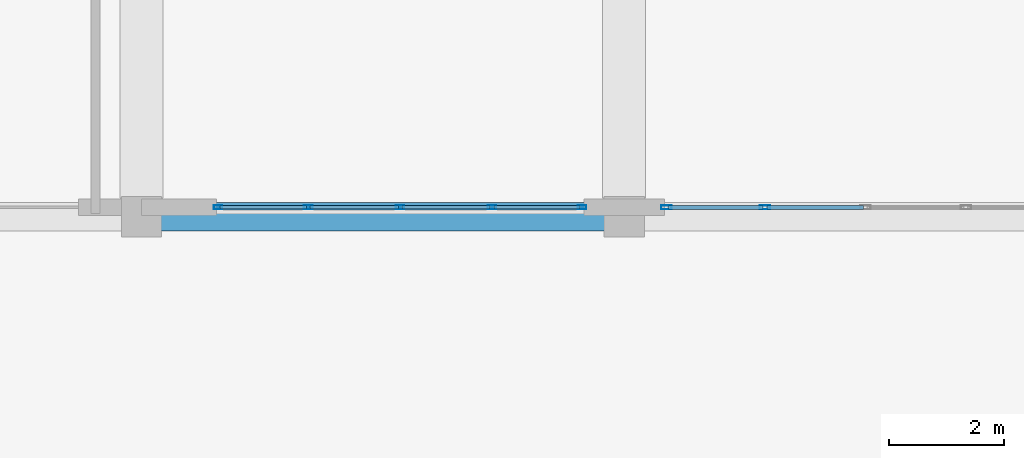
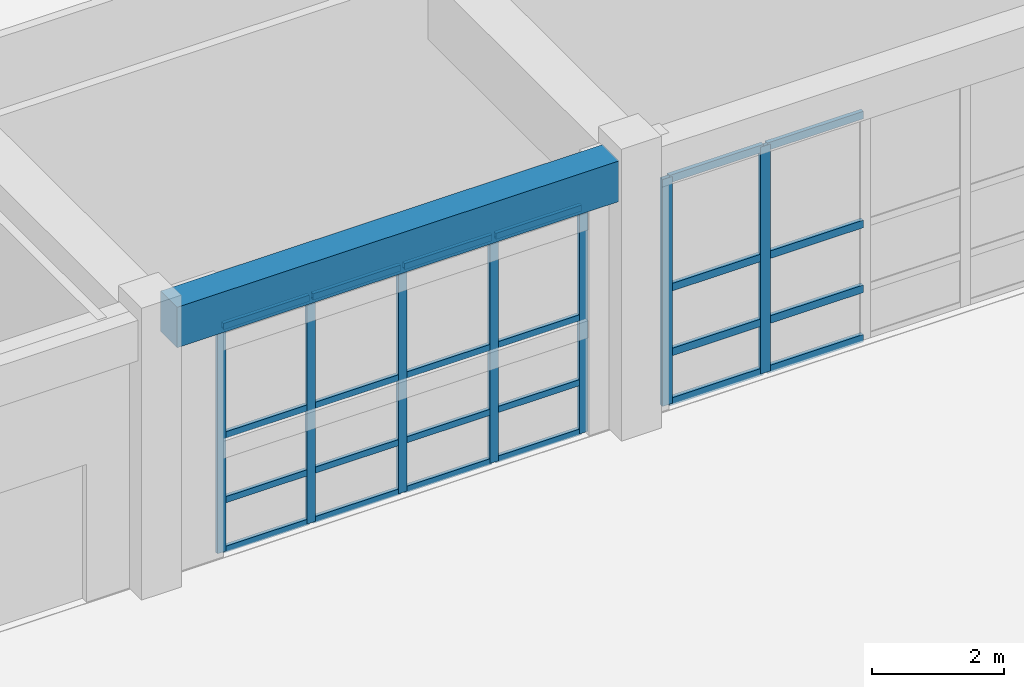
# One storey, part 63 of 148: 31 members, 1 beam, 2 elements without a shape of their own.
"""IFC4 building model written with IfcOpenShell, lengths in metres."""

from ifc_helpers import new_model, si_unit, direction, frame, origin, origin_2d, place, context, subcontext, project, spatial, rectangle, hollow_rectangle, extrude, material, layer, layer_set, material_profile, profile_set, type_object, element, aggregate, save


model = new_model("IFC4")

# Units and contexts
model_context = context("Model", 3, precision=1e-05, world=origin(), true_north=direction((0.0, 1.0)))
body_context = subcontext(model_context, "Body", "Model", "MODEL_VIEW")
ifc_project = project(units=[si_unit("LENGTHUNIT", "METRE"), si_unit("AREAUNIT", "SQUARE_METRE"), si_unit("VOLUMEUNIT", "CUBIC_METRE"), si_unit("PLANEANGLEUNIT", "RADIAN"), si_unit("MASSUNIT", "GRAM", prefix="KILO")], contexts=[model_context])

# Site, building, storey
site_placement = place(None, origin())
site = spatial("IfcSite", under=ifc_project, at=site_placement, CompositionType="ELEMENT")
building_placement = place(site_placement, origin())
building = spatial("IfcBuilding", under=site, at=building_placement, Name="Quendrovan Civic Courthouse", CompositionType="ELEMENT")
storey_placement = place(building_placement, origin())
storey = spatial("IfcBuildingStorey", under=building, at=storey_placement, Name="L01", CompositionType="ELEMENT", Elevation=0.0)

# Beam
ifc_material_1 = material(Name="Concrete C40/50", Category="concrete")
ifc_material_profile_1 = material_profile(ifc_material_1, rectangle(XDim=0.5, YDim=0.75, at=origin_2d()), Name="RC-BM-500x750")
ifc_profile_set_1 = profile_set([ifc_material_profile_1], Name="Concrete C40/50")
beam_type = type_object("IfcBeamType", Name="BM-RC750", PredefinedType="SPANDREL", material=ifc_profile_set_1)
beam_placement = place(storey_placement, frame((67.530029296875, 64.800048828125, 4.7451171875), z_axis=(1.0, 0.0, 0.0), x_axis=(0.0, 1.0, 0.0)))
element("IfcBeam", 1, at=beam_placement, inside=storey, type_object=beam_type, Name="L01 Girder X0293", PredefinedType="SPANDREL", context=body_context, shape_type="SweptSolid", body=[
    extrude(rectangle(XDim=0.5, YDim=0.75, at=origin_2d()), origin(), (0.0, 0.0, 1.0), 7.739990234375),
])

# Curtain wall, members
ifc_material_2 = material(Name="Bronze anodised aluminium and low-E glass", Category="aluminium")
ifc_layer_1 = layer(ifc_material_2, 0.179931640625, Name="Bronze anodised aluminium and low-E glass")
ifc_layer_set_1 = layer_set([ifc_layer_1], Name="Bronze anodised aluminium and low-E glass")
curtain_wall_type_1 = type_object("IfcCurtainWallType", Name="CW-U70x42", PredefinedType="USERDEFINED", material=ifc_layer_set_1)
curtain_wall_1_placement = place(storey_placement, origin())
curtain_wall_1 = element("IfcCurtainWall", 2, at=curtain_wall_1_placement, inside=storey, type_object=curtain_wall_type_1, Name="L01 Unitised Hurricane Curtain Wall CW-060", ObjectType="UNITISED CURTAIN WALL", PredefinedType="USERDEFINED")
ifc_material_3 = material(Name="Bronze anodised aluminium", Category="aluminium")
ifc_material_profile_2 = material_profile(ifc_material_3, hollow_rectangle(XDim=0.070068359375, YDim=0.179931640625, WallThickness=0.00390625, at=origin_2d()), Name="CW-MULL-70x180")
ifc_profile_set_2 = profile_set([ifc_material_profile_2], Name="Bronze anodised aluminium")
member_type_1 = type_object("IfcMemberType", Name="CW-MULL-A", PredefinedType="MULLION", material=ifc_profile_set_2)
member_1_placement = place(storey_placement, frame((78.050048828125, 64.965087890625, 0.0), z_axis=(0.0, 0.0, 1.0), x_axis=(0.0, -1.0, 0.0)))
member_1 = element("IfcMember", 3, at=member_1_placement, type_object=member_type_1, Name="CW-060 mullion 4", PredefinedType="MULLION", context=body_context, shape_type="SweptSolid", body=[
    extrude(hollow_rectangle(XDim=0.070068359375, YDim=0.179931640625, WallThickness=0.00390625, at=origin_2d()), origin(), (0.0, 0.0, 1.0), 4.199951171875),
])
member_2_placement = place(storey_placement, frame((76.3349609375, 64.965087890625, 0.0), z_axis=(0.0, 0.0, 1.0), x_axis=(0.0, -1.0, 0.0)))
member_2 = element("IfcMember", 4, at=member_2_placement, type_object=member_type_1, Name="CW-060 mullion 5", PredefinedType="MULLION", context=body_context, shape_type="SweptSolid", body=[
    extrude(hollow_rectangle(XDim=0.070068359375, YDim=0.179931640625, WallThickness=0.00390625, at=origin_2d()), origin(), (0.0, 0.0, 1.0), 4.199951171875),
])

ifc_layer_2 = layer(ifc_material_2, 0.179931640625, Name="Bronze anodised aluminium and low-E glass")
ifc_layer_set_2 = layer_set([ifc_layer_2], Name="Bronze anodised aluminium and low-E glass")
curtain_wall_type_2 = type_object("IfcCurtainWallType", Name="CW-U64x42", PredefinedType="USERDEFINED", material=ifc_layer_set_2)
curtain_wall_2_placement = place(storey_placement, origin())
curtain_wall_2 = element("IfcCurtainWall", 5, at=curtain_wall_2_placement, inside=storey, type_object=curtain_wall_type_2, Name="L01 Unitised Hurricane Curtain Wall CW-061", ObjectType="UNITISED CURTAIN WALL", PredefinedType="USERDEFINED")
ifc_material_profile_3 = material_profile(ifc_material_3, hollow_rectangle(XDim=0.06494140625, YDim=0.14990234375, WallThickness=0.00390625, at=origin_2d()), Name="CW-MULL-65x150")
ifc_profile_set_3 = profile_set([ifc_material_profile_3], Name="Bronze anodised aluminium")
member_type_2 = type_object("IfcMemberType", Name="CW-MULL-B", PredefinedType="MULLION", material=ifc_profile_set_3)
member_3_placement = place(storey_placement, frame((74.867431640625, 64.965087890625, 0.0), z_axis=(0.0, 0.0, 1.0), x_axis=(0.0, -1.0, 0.0)))
member_3 = element("IfcMember", 6, at=member_3_placement, type_object=member_type_2, Name="CW-061 mullion 1", PredefinedType="MULLION", context=body_context, shape_type="SweptSolid", body=[
    extrude(hollow_rectangle(XDim=0.06494140625, YDim=0.14990234375, WallThickness=0.00390625, at=origin_2d()), origin(), (0.0, 0.0, 1.0), 4.199951171875),
])
member_4_placement = place(storey_placement, frame((73.300048828125, 64.965087890625, 0.0), z_axis=(0.0, 0.0, 1.0), x_axis=(0.0, -1.0, 0.0)))
member_4 = element("IfcMember", 7, at=member_4_placement, type_object=member_type_2, Name="CW-061 mullion 2", PredefinedType="MULLION", context=body_context, shape_type="SweptSolid", body=[
    extrude(hollow_rectangle(XDim=0.06494140625, YDim=0.14990234375, WallThickness=0.00390625, at=origin_2d()), origin(), (0.0, 0.0, 1.0), 4.199951171875),
])
member_5_placement = place(storey_placement, frame((71.699951171875, 64.965087890625, 0.0), z_axis=(0.0, 0.0, 1.0), x_axis=(0.0, -1.0, 0.0)))
member_5 = element("IfcMember", 8, at=member_5_placement, type_object=member_type_2, Name="CW-061 mullion 3", PredefinedType="MULLION", context=body_context, shape_type="SweptSolid", body=[
    extrude(hollow_rectangle(XDim=0.06494140625, YDim=0.14990234375, WallThickness=0.00390625, at=origin_2d()), origin(), (0.0, 0.0, 1.0), 4.199951171875),
])
member_6_placement = place(storey_placement, frame((70.10009765625, 64.965087890625, 0.0), z_axis=(0.0, 0.0, 1.0), x_axis=(0.0, -1.0, 0.0)))
member_6 = element("IfcMember", 9, at=member_6_placement, type_object=member_type_2, Name="CW-061 mullion 4", PredefinedType="MULLION", context=body_context, shape_type="SweptSolid", body=[
    extrude(hollow_rectangle(XDim=0.06494140625, YDim=0.14990234375, WallThickness=0.00390625, at=origin_2d()), origin(), (0.0, 0.0, 1.0), 4.199951171875),
])
member_7_placement = place(storey_placement, frame((68.532470703125, 64.965087890625, 0.0), z_axis=(0.0, 0.0, 1.0), x_axis=(0.0, -1.0, 0.0)))
member_7 = element("IfcMember", 10, at=member_7_placement, type_object=member_type_2, Name="CW-061 mullion 5", PredefinedType="MULLION", context=body_context, shape_type="SweptSolid", body=[
    extrude(hollow_rectangle(XDim=0.06494140625, YDim=0.14990234375, WallThickness=0.00390625, at=origin_2d()), origin(), (0.0, 0.0, 1.0), 4.199951171875),
])

# Member
ifc_material_profile_4 = material_profile(ifc_material_3, hollow_rectangle(XDim=0.070068359375, YDim=0.139892578125, WallThickness=0.00390625, at=origin_2d()), Name="CW-TRAN-70x140")
ifc_profile_set_4 = profile_set([ifc_material_profile_4], Name="Bronze anodised aluminium")
member_type_3 = type_object("IfcMemberType", Name="CW-TRAN-A", PredefinedType="USERDEFINED", material=ifc_profile_set_4)
member_8_placement = place(storey_placement, frame((79.764892578125, 64.965087890625, 0.034912109375), z_axis=(-1.0, 0.0, 0.0), x_axis=(0.0, -1.0, 0.0)))
member_8 = element("IfcMember", 11, at=member_8_placement, type_object=member_type_3, Name="CW-060 transom 3.1", ObjectType="TRANSOM", PredefinedType="USERDEFINED", context=body_context, shape_type="SweptSolid", body=[
    extrude(hollow_rectangle(XDim=0.070068359375, YDim=0.139892578125, WallThickness=0.00390625, at=origin_2d()), origin(), (0.0, 0.0, 1.0), 1.679931640625),
])

member_9_placement = place(storey_placement, frame((79.764892578125, 64.965087890625, 0.949951171875), z_axis=(-1.0, 0.0, 0.0), x_axis=(0.0, -1.0, 0.0)))
member_9 = element("IfcMember", 12, at=member_9_placement, type_object=member_type_3, Name="CW-060 transom 3.2", ObjectType="TRANSOM", PredefinedType="USERDEFINED", context=body_context, shape_type="SweptSolid", body=[
    extrude(hollow_rectangle(XDim=0.070068359375, YDim=0.139892578125, WallThickness=0.00390625, at=origin_2d()), origin(), (0.0, 0.0, 1.0), 1.679931640625),
])

member_10_placement = place(storey_placement, frame((79.764892578125, 64.965087890625, 2.14990234375), z_axis=(-1.0, 0.0, 0.0), x_axis=(0.0, -1.0, 0.0)))
member_10 = element("IfcMember", 13, at=member_10_placement, type_object=member_type_3, Name="CW-060 transom 3.3", ObjectType="TRANSOM", PredefinedType="USERDEFINED", context=body_context, shape_type="SweptSolid", body=[
    extrude(hollow_rectangle(XDim=0.070068359375, YDim=0.139892578125, WallThickness=0.00390625, at=origin_2d()), origin(), (0.0, 0.0, 1.0), 1.679931640625),
])

member_11_placement = place(storey_placement, frame((79.764892578125, 64.965087890625, 4.1650390625), z_axis=(-1.0, 0.0, 0.0), x_axis=(0.0, -1.0, 0.0)))
member_11 = element("IfcMember", 14, at=member_11_placement, type_object=member_type_3, Name="CW-060 transom 3.4", ObjectType="TRANSOM", PredefinedType="USERDEFINED", context=body_context, shape_type="SweptSolid", body=[
    extrude(hollow_rectangle(XDim=0.070068359375, YDim=0.139892578125, WallThickness=0.00390625, at=origin_2d()), origin(), (0.0, 0.0, 1.0), 1.679931640625),
])

member_12_placement = place(storey_placement, frame((78.014892578125, 64.965087890625, 0.034912109375), z_axis=(-1.0, 0.0, 0.0), x_axis=(0.0, -1.0, 0.0)))
member_12 = element("IfcMember", 15, at=member_12_placement, type_object=member_type_3, Name="CW-060 transom 4.1", ObjectType="TRANSOM", PredefinedType="USERDEFINED", context=body_context, shape_type="SweptSolid", body=[
    extrude(hollow_rectangle(XDim=0.070068359375, YDim=0.139892578125, WallThickness=0.00390625, at=origin_2d()), origin(), (0.0, 0.0, 1.0), 1.644775390625),
])

member_13_placement = place(storey_placement, frame((78.014892578125, 64.965087890625, 0.949951171875), z_axis=(-1.0, 0.0, 0.0), x_axis=(0.0, -1.0, 0.0)))
member_13 = element("IfcMember", 16, at=member_13_placement, type_object=member_type_3, Name="CW-060 transom 4.2", ObjectType="TRANSOM", PredefinedType="USERDEFINED", context=body_context, shape_type="SweptSolid", body=[
    extrude(hollow_rectangle(XDim=0.070068359375, YDim=0.139892578125, WallThickness=0.00390625, at=origin_2d()), origin(), (0.0, 0.0, 1.0), 1.644775390625),
])

member_14_placement = place(storey_placement, frame((78.014892578125, 64.965087890625, 2.14990234375), z_axis=(-1.0, 0.0, 0.0), x_axis=(0.0, -1.0, 0.0)))
member_14 = element("IfcMember", 17, at=member_14_placement, type_object=member_type_3, Name="CW-060 transom 4.3", ObjectType="TRANSOM", PredefinedType="USERDEFINED", context=body_context, shape_type="SweptSolid", body=[
    extrude(hollow_rectangle(XDim=0.070068359375, YDim=0.139892578125, WallThickness=0.00390625, at=origin_2d()), origin(), (0.0, 0.0, 1.0), 1.644775390625),
])

member_15_placement = place(storey_placement, frame((78.014892578125, 64.965087890625, 4.1650390625), z_axis=(-1.0, 0.0, 0.0), x_axis=(0.0, -1.0, 0.0)))
member_15 = element("IfcMember", 18, at=member_15_placement, type_object=member_type_3, Name="CW-060 transom 4.4", ObjectType="TRANSOM", PredefinedType="USERDEFINED", context=body_context, shape_type="SweptSolid", body=[
    extrude(hollow_rectangle(XDim=0.070068359375, YDim=0.139892578125, WallThickness=0.00390625, at=origin_2d()), origin(), (0.0, 0.0, 1.0), 1.644775390625),
])

aggregate(curtain_wall_1, [member_1, member_2, member_8, member_9, member_10, member_11, member_12, member_13, member_14, member_15])

ifc_material_profile_5 = material_profile(ifc_material_3, hollow_rectangle(XDim=0.06494140625, YDim=0.114990234375, WallThickness=0.00390625, at=origin_2d()), Name="CW-TRAN-65x115")
ifc_profile_set_5 = profile_set([ifc_material_profile_5], Name="Bronze anodised aluminium")
member_type_4 = type_object("IfcMemberType", Name="CW-TRAN-B", PredefinedType="USERDEFINED", material=ifc_profile_set_5)
member_16_placement = place(storey_placement, frame((74.8349609375, 64.965087890625, 0.032470703125), z_axis=(-1.0, 0.0, 0.0), x_axis=(0.0, -1.0, 0.0)))
member_16 = element("IfcMember", 19, at=member_16_placement, type_object=member_type_4, Name="CW-061 transom 1.1", ObjectType="TRANSOM", PredefinedType="USERDEFINED", context=body_context, shape_type="SweptSolid", body=[
    extrude(hollow_rectangle(XDim=0.06494140625, YDim=0.114990234375, WallThickness=0.00390625, at=origin_2d()), origin(), (0.0, 0.0, 1.0), 1.50244140625),
])

member_17_placement = place(storey_placement, frame((74.8349609375, 64.965087890625, 0.949951171875), z_axis=(-1.0, 0.0, 0.0), x_axis=(0.0, -1.0, 0.0)))
member_17 = element("IfcMember", 20, at=member_17_placement, type_object=member_type_4, Name="CW-061 transom 1.2", ObjectType="TRANSOM", PredefinedType="USERDEFINED", context=body_context, shape_type="SweptSolid", body=[
    extrude(hollow_rectangle(XDim=0.06494140625, YDim=0.114990234375, WallThickness=0.00390625, at=origin_2d()), origin(), (0.0, 0.0, 1.0), 1.50244140625),
])

member_18_placement = place(storey_placement, frame((74.8349609375, 64.965087890625, 2.14990234375), z_axis=(-1.0, 0.0, 0.0), x_axis=(0.0, -1.0, 0.0)))
member_18 = element("IfcMember", 21, at=member_18_placement, type_object=member_type_4, Name="CW-061 transom 1.3", ObjectType="TRANSOM", PredefinedType="USERDEFINED", context=body_context, shape_type="SweptSolid", body=[
    extrude(hollow_rectangle(XDim=0.06494140625, YDim=0.114990234375, WallThickness=0.00390625, at=origin_2d()), origin(), (0.0, 0.0, 1.0), 1.50244140625),
])

member_19_placement = place(storey_placement, frame((74.8349609375, 64.965087890625, 4.16748046875), z_axis=(-1.0, 0.0, 0.0), x_axis=(0.0, -1.0, 0.0)))
member_19 = element("IfcMember", 22, at=member_19_placement, type_object=member_type_4, Name="CW-061 transom 1.4", ObjectType="TRANSOM", PredefinedType="USERDEFINED", context=body_context, shape_type="SweptSolid", body=[
    extrude(hollow_rectangle(XDim=0.06494140625, YDim=0.114990234375, WallThickness=0.00390625, at=origin_2d()), origin(), (0.0, 0.0, 1.0), 1.50244140625),
])

member_20_placement = place(storey_placement, frame((73.267578125, 64.965087890625, 0.032470703125), z_axis=(-1.0, 0.0, 0.0), x_axis=(0.0, -1.0, 0.0)))
member_20 = element("IfcMember", 23, at=member_20_placement, type_object=member_type_4, Name="CW-061 transom 2.1", ObjectType="TRANSOM", PredefinedType="USERDEFINED", context=body_context, shape_type="SweptSolid", body=[
    extrude(hollow_rectangle(XDim=0.06494140625, YDim=0.114990234375, WallThickness=0.00390625, at=origin_2d()), origin(), (0.0, 0.0, 1.0), 1.53515625),
])

member_21_placement = place(storey_placement, frame((73.267578125, 64.965087890625, 0.949951171875), z_axis=(-1.0, 0.0, 0.0), x_axis=(0.0, -1.0, 0.0)))
member_21 = element("IfcMember", 24, at=member_21_placement, type_object=member_type_4, Name="CW-061 transom 2.2", ObjectType="TRANSOM", PredefinedType="USERDEFINED", context=body_context, shape_type="SweptSolid", body=[
    extrude(hollow_rectangle(XDim=0.06494140625, YDim=0.114990234375, WallThickness=0.00390625, at=origin_2d()), origin(), (0.0, 0.0, 1.0), 1.53515625),
])

member_22_placement = place(storey_placement, frame((73.267578125, 64.965087890625, 2.14990234375), z_axis=(-1.0, 0.0, 0.0), x_axis=(0.0, -1.0, 0.0)))
member_22 = element("IfcMember", 25, at=member_22_placement, type_object=member_type_4, Name="CW-061 transom 2.3", ObjectType="TRANSOM", PredefinedType="USERDEFINED", context=body_context, shape_type="SweptSolid", body=[
    extrude(hollow_rectangle(XDim=0.06494140625, YDim=0.114990234375, WallThickness=0.00390625, at=origin_2d()), origin(), (0.0, 0.0, 1.0), 1.53515625),
])

member_23_placement = place(storey_placement, frame((73.267578125, 64.965087890625, 4.16748046875), z_axis=(-1.0, 0.0, 0.0), x_axis=(0.0, -1.0, 0.0)))
member_23 = element("IfcMember", 26, at=member_23_placement, type_object=member_type_4, Name="CW-061 transom 2.4", ObjectType="TRANSOM", PredefinedType="USERDEFINED", context=body_context, shape_type="SweptSolid", body=[
    extrude(hollow_rectangle(XDim=0.06494140625, YDim=0.114990234375, WallThickness=0.00390625, at=origin_2d()), origin(), (0.0, 0.0, 1.0), 1.53515625),
])

member_24_placement = place(storey_placement, frame((71.66748046875, 64.965087890625, 0.032470703125), z_axis=(-1.0, 0.0, 0.0), x_axis=(0.0, -1.0, 0.0)))
member_24 = element("IfcMember", 27, at=member_24_placement, type_object=member_type_4, Name="CW-061 transom 3.1", ObjectType="TRANSOM", PredefinedType="USERDEFINED", context=body_context, shape_type="SweptSolid", body=[
    extrude(hollow_rectangle(XDim=0.06494140625, YDim=0.114990234375, WallThickness=0.00390625, at=origin_2d()), origin(), (0.0, 0.0, 1.0), 1.534912109375),
])

member_25_placement = place(storey_placement, frame((71.66748046875, 64.965087890625, 0.949951171875), z_axis=(-1.0, 0.0, 0.0), x_axis=(0.0, -1.0, 0.0)))
member_25 = element("IfcMember", 28, at=member_25_placement, type_object=member_type_4, Name="CW-061 transom 3.2", ObjectType="TRANSOM", PredefinedType="USERDEFINED", context=body_context, shape_type="SweptSolid", body=[
    extrude(hollow_rectangle(XDim=0.06494140625, YDim=0.114990234375, WallThickness=0.00390625, at=origin_2d()), origin(), (0.0, 0.0, 1.0), 1.534912109375),
])

member_26_placement = place(storey_placement, frame((71.66748046875, 64.965087890625, 2.14990234375), z_axis=(-1.0, 0.0, 0.0), x_axis=(0.0, -1.0, 0.0)))
member_26 = element("IfcMember", 29, at=member_26_placement, type_object=member_type_4, Name="CW-061 transom 3.3", ObjectType="TRANSOM", PredefinedType="USERDEFINED", context=body_context, shape_type="SweptSolid", body=[
    extrude(hollow_rectangle(XDim=0.06494140625, YDim=0.114990234375, WallThickness=0.00390625, at=origin_2d()), origin(), (0.0, 0.0, 1.0), 1.534912109375),
])

member_27_placement = place(storey_placement, frame((71.66748046875, 64.965087890625, 4.16748046875), z_axis=(-1.0, 0.0, 0.0), x_axis=(0.0, -1.0, 0.0)))
member_27 = element("IfcMember", 30, at=member_27_placement, type_object=member_type_4, Name="CW-061 transom 3.4", ObjectType="TRANSOM", PredefinedType="USERDEFINED", context=body_context, shape_type="SweptSolid", body=[
    extrude(hollow_rectangle(XDim=0.06494140625, YDim=0.114990234375, WallThickness=0.00390625, at=origin_2d()), origin(), (0.0, 0.0, 1.0), 1.534912109375),
])

member_28_placement = place(storey_placement, frame((70.0673828125, 64.965087890625, 0.032470703125), z_axis=(-1.0, 0.0, 0.0), x_axis=(0.0, -1.0, 0.0)))
member_28 = element("IfcMember", 31, at=member_28_placement, type_object=member_type_4, Name="CW-061 transom 4.1", ObjectType="TRANSOM", PredefinedType="USERDEFINED", context=body_context, shape_type="SweptSolid", body=[
    extrude(hollow_rectangle(XDim=0.06494140625, YDim=0.114990234375, WallThickness=0.00390625, at=origin_2d()), origin(), (0.0, 0.0, 1.0), 1.50244140625),
])

member_29_placement = place(storey_placement, frame((70.0673828125, 64.965087890625, 0.949951171875), z_axis=(-1.0, 0.0, 0.0), x_axis=(0.0, -1.0, 0.0)))
member_29 = element("IfcMember", 32, at=member_29_placement, type_object=member_type_4, Name="CW-061 transom 4.2", ObjectType="TRANSOM", PredefinedType="USERDEFINED", context=body_context, shape_type="SweptSolid", body=[
    extrude(hollow_rectangle(XDim=0.06494140625, YDim=0.114990234375, WallThickness=0.00390625, at=origin_2d()), origin(), (0.0, 0.0, 1.0), 1.50244140625),
])

member_30_placement = place(storey_placement, frame((70.0673828125, 64.965087890625, 2.14990234375), z_axis=(-1.0, 0.0, 0.0), x_axis=(0.0, -1.0, 0.0)))
member_30 = element("IfcMember", 33, at=member_30_placement, type_object=member_type_4, Name="CW-061 transom 4.3", ObjectType="TRANSOM", PredefinedType="USERDEFINED", context=body_context, shape_type="SweptSolid", body=[
    extrude(hollow_rectangle(XDim=0.06494140625, YDim=0.114990234375, WallThickness=0.00390625, at=origin_2d()), origin(), (0.0, 0.0, 1.0), 1.50244140625),
])

member_31_placement = place(storey_placement, frame((70.0673828125, 64.965087890625, 4.16748046875), z_axis=(-1.0, 0.0, 0.0), x_axis=(0.0, -1.0, 0.0)))
member_31 = element("IfcMember", 34, at=member_31_placement, type_object=member_type_4, Name="CW-061 transom 4.4", ObjectType="TRANSOM", PredefinedType="USERDEFINED", context=body_context, shape_type="SweptSolid", body=[
    extrude(hollow_rectangle(XDim=0.06494140625, YDim=0.114990234375, WallThickness=0.00390625, at=origin_2d()), origin(), (0.0, 0.0, 1.0), 1.50244140625),
])

aggregate(curtain_wall_2, [member_3, member_4, member_5, member_6, member_7, member_16, member_17, member_18, member_19, member_20, member_21, member_22, member_23, member_24, member_25, member_26, member_27, member_28, member_29, member_30, member_31])

save(model, "model.ifc")
